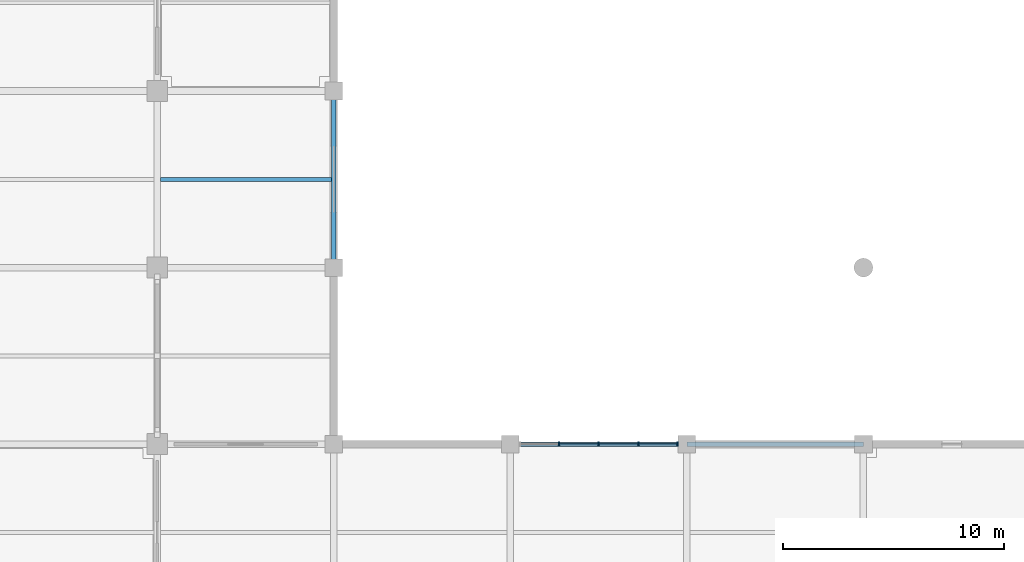
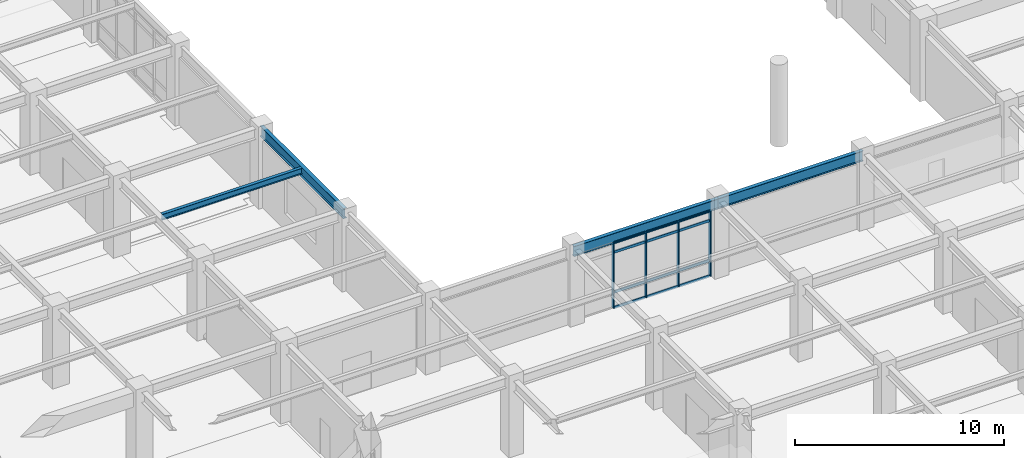
# One storey, part 25 of 109: 16 members, 4 beams, 1 element without a shape of its own.
"""IFC4 building model written with IfcOpenShell, lengths in metres."""

from ifc_helpers import new_model, si_unit, direction, frame, origin, origin_2d, place, context, subcontext, project, spatial, rectangle, i_section, extrude, material, layer, layer_set, material_profile, profile_set, type_object, element, aggregate, save


model = new_model("IFC4")

# Units and contexts
model_context = context("Model", 3, precision=1e-05, world=origin(), true_north=direction((0.0, 1.0)))
body_context = subcontext(model_context, "Body", "Model", "MODEL_VIEW")
ifc_project = project(units=[si_unit("LENGTHUNIT", "METRE"), si_unit("AREAUNIT", "SQUARE_METRE"), si_unit("VOLUMEUNIT", "CUBIC_METRE"), si_unit("PLANEANGLEUNIT", "RADIAN"), si_unit("MASSUNIT", "GRAM", prefix="KILO")], contexts=[model_context])

# Site, building, storey
site_placement = place(None, origin())
site = spatial("IfcSite", under=ifc_project, at=site_placement, CompositionType="ELEMENT")
building_placement = place(site_placement, origin())
building = spatial("IfcBuilding", under=site, at=building_placement, Name="Haebicheon Civic Stadium", CompositionType="ELEMENT")
storey_placement = place(building_placement, frame((0.0, 0.0, 9.60009765625)))
storey = spatial("IfcBuildingStorey", under=building, at=storey_placement, Name="L03", CompositionType="ELEMENT", Elevation=9.60009765625)

# Curtain wall, members
ifc_material_1 = material(Name="Anodised aluminium and laminated glass", Category="aluminium")
ifc_layer = layer(ifc_material_1, 0.179931640625, Name="Anodised aluminium and laminated glass")
ifc_layer_set = layer_set([ifc_layer], Name="Anodised aluminium and laminated glass")
curtain_wall_type = type_object("IfcCurtainWallType", Name="CW-7200x3790", PredefinedType="NOTDEFINED", material=ifc_layer_set)
curtain_wall_placement = place(storey_placement, origin())
curtain_wall = element("IfcCurtainWall", 1, at=curtain_wall_placement, inside=storey, type_object=curtain_wall_type, material=ifc_layer_set, Name="L03 unitised curtain wall 092", PredefinedType="NOTDEFINED")
ifc_material_2 = material(Name="Anodised aluminium 6063-T6", Category="aluminium")
ifc_material_profile_1 = material_profile(ifc_material_2, rectangle(XDim=0.070068359375, YDim=0.199951171875, at=origin_2d()), Name="ALU-MULL-70x200")
ifc_profile_set_1 = profile_set([ifc_material_profile_1], Name="Anodised aluminium 6063-T6")
member_type_1 = type_object("IfcMemberType", Name="CWM-200x70", PredefinedType="MULLION", material=ifc_profile_set_1)
member_1_placement = place(storey_placement, frame((178.199951171875, 48.0, 0.0), z_axis=(0.0, 0.0, 1.0), x_axis=(1.0, 0.0, 0.0)))
member_1 = element("IfcMember", 2, at=member_1_placement, type_object=member_type_1, material=ifc_profile_set_1, Name="CW-L03-092 vertical mullion 2", PredefinedType="MULLION", context=body_context, shape_type="SweptSolid", body=[
    extrude(rectangle(XDim=0.070068359375, YDim=0.199951171875, at=origin_2d()), origin(), (0.0, 0.0, 1.0), 3.789794921875),
])
member_2_placement = place(storey_placement, frame((180.0, 48.0, 0.0), z_axis=(0.0, 0.0, 1.0), x_axis=(1.0, 0.0, 0.0)))
member_2 = element("IfcMember", 3, at=member_2_placement, type_object=member_type_1, material=ifc_profile_set_1, Name="CW-L03-092 vertical mullion 3", PredefinedType="MULLION", context=body_context, shape_type="SweptSolid", body=[
    extrude(rectangle(XDim=0.070068359375, YDim=0.199951171875, at=origin_2d()), origin(), (0.0, 0.0, 1.0), 3.789794921875),
])
member_3_placement = place(storey_placement, frame((181.800048828125, 48.0, 0.0), z_axis=(0.0, 0.0, 1.0), x_axis=(1.0, 0.0, 0.0)))
member_3 = element("IfcMember", 4, at=member_3_placement, type_object=member_type_1, material=ifc_profile_set_1, Name="CW-L03-092 vertical mullion 4", PredefinedType="MULLION", context=body_context, shape_type="SweptSolid", body=[
    extrude(rectangle(XDim=0.070068359375, YDim=0.199951171875, at=origin_2d()), origin(), (0.0, 0.0, 1.0), 3.789794921875),
])
member_4_placement = place(storey_placement, frame((183.56494140625, 48.0, 0.0), z_axis=(0.0, 0.0, 1.0), x_axis=(1.0, 0.0, 0.0)))
member_4 = element("IfcMember", 5, at=member_4_placement, type_object=member_type_1, material=ifc_profile_set_1, Name="CW-L03-092 vertical mullion 5", PredefinedType="MULLION", context=body_context, shape_type="SweptSolid", body=[
    extrude(rectangle(XDim=0.070068359375, YDim=0.199951171875, at=origin_2d()), origin(), (0.0, 0.0, 1.0), 3.789794921875),
])
ifc_material_3 = material(Name="Anodised aluminium 6063-T6", Category="aluminium")
ifc_material_profile_2 = material_profile(ifc_material_3, rectangle(XDim=0.070068359375, YDim=0.14990234375, at=origin_2d()), Name="ALU-TRAN-70x150")
ifc_profile_set_2 = profile_set([ifc_material_profile_2], Name="Anodised aluminium 6063-T6")
member_type_2 = type_object("IfcMemberType", Name="CWT-150x70", PredefinedType="NOTDEFINED", material=ifc_profile_set_2)
member_5_placement = place(storey_placement, frame((178.235107421875, 48.0, 0.0), z_axis=(1.0, 0.0, 0.0), x_axis=(0.0, 1.0, 0.0)))
member_5 = element("IfcMember", 6, at=member_5_placement, type_object=member_type_2, material=ifc_profile_set_2, Name="CW-L03-092 horizontal transom 2.1", ObjectType="TRANSOM", PredefinedType="USERDEFINED", context=body_context, shape_type="SweptSolid", body=[
    extrude(rectangle(XDim=0.070068359375, YDim=0.14990234375, at=origin_2d()), origin(), (0.0, 0.0, 1.0), 1.72998046875),
])
member_6_placement = place(storey_placement, frame((178.235107421875, 48.0, 0.89990234375), z_axis=(1.0, 0.0, 0.0), x_axis=(0.0, 1.0, 0.0)))
member_6 = element("IfcMember", 7, at=member_6_placement, type_object=member_type_2, material=ifc_profile_set_2, Name="CW-L03-092 horizontal transom 2.2", ObjectType="TRANSOM", PredefinedType="USERDEFINED", context=body_context, shape_type="SweptSolid", body=[
    extrude(rectangle(XDim=0.070068359375, YDim=0.14990234375, at=origin_2d()), origin(), (0.0, 0.0, 1.0), 1.72998046875),
])
member_7_placement = place(storey_placement, frame((178.235107421875, 48.0, 3.239990234375), z_axis=(1.0, 0.0, 0.0), x_axis=(0.0, 1.0, 0.0)))
member_7 = element("IfcMember", 8, at=member_7_placement, type_object=member_type_2, material=ifc_profile_set_2, Name="CW-L03-092 horizontal transom 2.3", ObjectType="TRANSOM", PredefinedType="USERDEFINED", context=body_context, shape_type="SweptSolid", body=[
    extrude(rectangle(XDim=0.070068359375, YDim=0.14990234375, at=origin_2d()), origin(), (0.0, 0.0, 1.0), 1.72998046875),
])
member_8_placement = place(storey_placement, frame((178.235107421875, 48.0, 3.789794921875), z_axis=(1.0, 0.0, 0.0), x_axis=(0.0, 1.0, 0.0)))
member_8 = element("IfcMember", 9, at=member_8_placement, type_object=member_type_2, material=ifc_profile_set_2, Name="CW-L03-092 horizontal transom 2.4", ObjectType="TRANSOM", PredefinedType="USERDEFINED", context=body_context, shape_type="SweptSolid", body=[
    extrude(rectangle(XDim=0.070068359375, YDim=0.14990234375, at=origin_2d()), origin(), (0.0, 0.0, 1.0), 1.72998046875),
])
member_9_placement = place(storey_placement, frame((180.034912109375, 48.0, 0.0), z_axis=(1.0, 0.0, 0.0), x_axis=(0.0, 1.0, 0.0)))
member_9 = element("IfcMember", 10, at=member_9_placement, type_object=member_type_2, material=ifc_profile_set_2, Name="CW-L03-092 horizontal transom 3.1", ObjectType="TRANSOM", PredefinedType="USERDEFINED", context=body_context, shape_type="SweptSolid", body=[
    extrude(rectangle(XDim=0.070068359375, YDim=0.14990234375, at=origin_2d()), origin(), (0.0, 0.0, 1.0), 1.72998046875),
])
member_10_placement = place(storey_placement, frame((180.034912109375, 48.0, 0.89990234375), z_axis=(1.0, 0.0, 0.0), x_axis=(0.0, 1.0, 0.0)))
member_10 = element("IfcMember", 11, at=member_10_placement, type_object=member_type_2, material=ifc_profile_set_2, Name="CW-L03-092 horizontal transom 3.2", ObjectType="TRANSOM", PredefinedType="USERDEFINED", context=body_context, shape_type="SweptSolid", body=[
    extrude(rectangle(XDim=0.070068359375, YDim=0.14990234375, at=origin_2d()), origin(), (0.0, 0.0, 1.0), 1.72998046875),
])
member_11_placement = place(storey_placement, frame((180.034912109375, 48.0, 3.239990234375), z_axis=(1.0, 0.0, 0.0), x_axis=(0.0, 1.0, 0.0)))
member_11 = element("IfcMember", 12, at=member_11_placement, type_object=member_type_2, material=ifc_profile_set_2, Name="CW-L03-092 horizontal transom 3.3", ObjectType="TRANSOM", PredefinedType="USERDEFINED", context=body_context, shape_type="SweptSolid", body=[
    extrude(rectangle(XDim=0.070068359375, YDim=0.14990234375, at=origin_2d()), origin(), (0.0, 0.0, 1.0), 1.72998046875),
])
member_12_placement = place(storey_placement, frame((180.034912109375, 48.0, 3.789794921875), z_axis=(1.0, 0.0, 0.0), x_axis=(0.0, 1.0, 0.0)))
member_12 = element("IfcMember", 13, at=member_12_placement, type_object=member_type_2, material=ifc_profile_set_2, Name="CW-L03-092 horizontal transom 3.4", ObjectType="TRANSOM", PredefinedType="USERDEFINED", context=body_context, shape_type="SweptSolid", body=[
    extrude(rectangle(XDim=0.070068359375, YDim=0.14990234375, at=origin_2d()), origin(), (0.0, 0.0, 1.0), 1.72998046875),
])
member_13_placement = place(storey_placement, frame((181.8349609375, 48.0, 0.0), z_axis=(1.0, 0.0, 0.0), x_axis=(0.0, 1.0, 0.0)))
member_13 = element("IfcMember", 14, at=member_13_placement, type_object=member_type_2, material=ifc_profile_set_2, Name="CW-L03-092 horizontal transom 4.1", ObjectType="TRANSOM", PredefinedType="USERDEFINED", context=body_context, shape_type="SweptSolid", body=[
    extrude(rectangle(XDim=0.070068359375, YDim=0.14990234375, at=origin_2d()), origin(), (0.0, 0.0, 1.0), 1.695068359375),
])
member_14_placement = place(storey_placement, frame((181.8349609375, 48.0, 0.89990234375), z_axis=(1.0, 0.0, 0.0), x_axis=(0.0, 1.0, 0.0)))
member_14 = element("IfcMember", 15, at=member_14_placement, type_object=member_type_2, material=ifc_profile_set_2, Name="CW-L03-092 horizontal transom 4.2", ObjectType="TRANSOM", PredefinedType="USERDEFINED", context=body_context, shape_type="SweptSolid", body=[
    extrude(rectangle(XDim=0.070068359375, YDim=0.14990234375, at=origin_2d()), origin(), (0.0, 0.0, 1.0), 1.695068359375),
])
member_15_placement = place(storey_placement, frame((181.8349609375, 48.0, 3.239990234375), z_axis=(1.0, 0.0, 0.0), x_axis=(0.0, 1.0, 0.0)))
member_15 = element("IfcMember", 16, at=member_15_placement, type_object=member_type_2, material=ifc_profile_set_2, Name="CW-L03-092 horizontal transom 4.3", ObjectType="TRANSOM", PredefinedType="USERDEFINED", context=body_context, shape_type="SweptSolid", body=[
    extrude(rectangle(XDim=0.070068359375, YDim=0.14990234375, at=origin_2d()), origin(), (0.0, 0.0, 1.0), 1.695068359375),
])
member_16_placement = place(storey_placement, frame((181.8349609375, 48.0, 3.789794921875), z_axis=(1.0, 0.0, 0.0), x_axis=(0.0, 1.0, 0.0)))
member_16 = element("IfcMember", 17, at=member_16_placement, type_object=member_type_2, material=ifc_profile_set_2, Name="CW-L03-092 horizontal transom 4.4", ObjectType="TRANSOM", PredefinedType="USERDEFINED", context=body_context, shape_type="SweptSolid", body=[
    extrude(rectangle(XDim=0.070068359375, YDim=0.14990234375, at=origin_2d()), origin(), (0.0, 0.0, 1.0), 1.695068359375),
])
aggregate(curtain_wall, [member_1, member_2, member_3, member_4, member_5, member_6, member_7, member_8, member_9, member_10, member_11, member_12, member_13, member_14, member_15, member_16])

# Beams
ifc_material_4 = material(Name="Steel SM355 (S355)", Category="steel")
ifc_material_profile_3 = material_profile(ifc_material_4, i_section(OverallWidth=0.175048828125, OverallDepth=0.35009765625, WebThickness=0.007080078125, FlangeThickness=0.010986328125, at=origin_2d()), Name="H-350x175x7x11")
ifc_profile_set_3 = profile_set([ifc_material_profile_3], Name="Steel SM355 (S355)")
beam_type_1 = type_object("IfcBeamType", Name="JST-ST-H350", PredefinedType="JOIST", material=ifc_profile_set_3)
beam_placement = place(storey_placement, frame((160.14990234375, 60.0, 4.364990234375), z_axis=(1.0, 0.0, 0.0), x_axis=(0.0, 1.0, 0.0)))
element("IfcBeam", 18, at=beam_placement, inside=storey, type_object=beam_type_1, material=ifc_profile_set_3, Name="L03 secondary joist 20-07", PredefinedType="JOIST", context=body_context, shape_type="SweptSolid", body=[
    extrude(i_section(OverallWidth=0.175048828125, OverallDepth=0.35009765625, WebThickness=0.007080078125, FlangeThickness=0.010986328125, at=origin_2d()), origin(), (0.0, 0.0, 1.0), 7.75),
])
ifc_material_5 = material(Name="Steel SM355 (S355)", Category="steel")
ifc_material_profile_4 = material_profile(ifc_material_5, i_section(OverallWidth=0.199951171875, OverallDepth=0.60009765625, WebThickness=0.010986328125, FlangeThickness=0.01708984375, at=origin_2d()), Name="H-600x200x11x17")
ifc_profile_set_4 = profile_set([ifc_material_profile_4], Name="Steel SM355 (S355)")
beam_type_2 = type_object("IfcBeamType", Name="SPD-ST-H600B", PredefinedType="SPANDREL", material=ifc_profile_set_4)
for number, where, z_axis, x_axis, name in (
    (19, (168.0, 56.0, 4.239990234375), (0.0, 1.0, 0.0), (-1.0, 0.0, 0.0), "L03 girder 22/H-J"),
    (20, (176.0, 48.0, 4.099853515625), (1.0, 0.0, 0.0), (0.0, 1.0, 0.0), "L03 beam G/23-24"),
    (21, (184.0, 48.0, 4.099853515625), (1.0, 0.0, 0.0), (0.0, 1.0, 0.0), "L03 beam G/24-25"),
):
    element("IfcBeam", number, at=place(storey_placement, frame(where, z_axis=z_axis, x_axis=x_axis)), inside=storey, type_object=beam_type_2, material=ifc_profile_set_4, Name=name, PredefinedType="SPANDREL", context=body_context, shape_type="SweptSolid", body=[
        extrude(i_section(OverallWidth=0.199951171875, OverallDepth=0.60009765625, WebThickness=0.010986328125, FlangeThickness=0.01708984375, at=origin_2d()), origin(), (0.0, 0.0, 1.0), 8.0),
    ])

save(model, "model.ifc")
